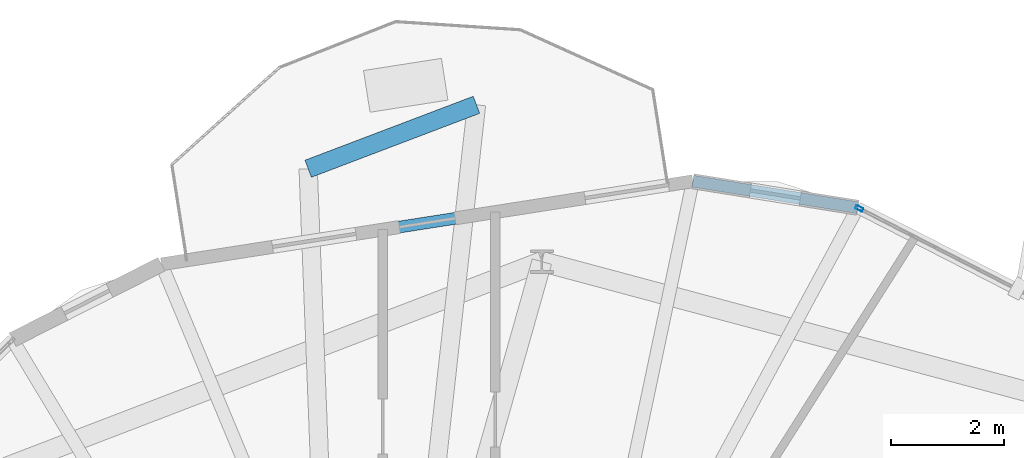
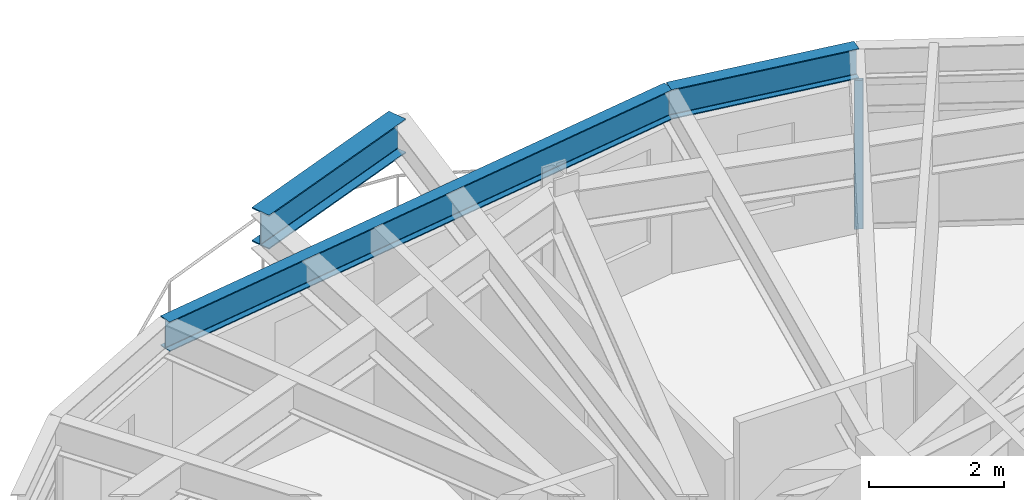
# One storey, part 17 of 27: 3 beams, 1 member, 1 element without a shape of its own.
"""IFC4 building model written with IfcOpenShell, lengths in metres."""

from ifc_helpers import new_model, si_unit, direction, frame, origin, origin_2d, place, context, subcontext, project, spatial, hollow_rectangle, i_section, extrude, material, layer, layer_set, material_profile, profile_set, type_object, element, aggregate, save


model = new_model("IFC4")

# Units and contexts
model_context = context("Model", 3, precision=1e-05, world=origin(), true_north=direction((0.0, 1.0)))
body_context = subcontext(model_context, "Body", "Model", "MODEL_VIEW")
ifc_project = project(units=[si_unit("LENGTHUNIT", "METRE"), si_unit("AREAUNIT", "SQUARE_METRE"), si_unit("VOLUMEUNIT", "CUBIC_METRE"), si_unit("PLANEANGLEUNIT", "RADIAN"), si_unit("MASSUNIT", "GRAM", prefix="KILO")], contexts=[model_context])

# Site, building, storey
site_placement = place(None, origin())
site = spatial("IfcSite", under=ifc_project, at=site_placement, CompositionType="ELEMENT")
building_placement = place(site_placement, origin())
building = spatial("IfcBuilding", under=site, at=building_placement, Name="Soratama Intermodal Tower", CompositionType="ELEMENT")
storey_placement = place(building_placement, frame((0.0, 0.0, 197.800048828125)))
storey = spatial("IfcBuildingStorey", under=building, at=storey_placement, Name="L49", CompositionType="ELEMENT", Elevation=197.800048828125)

# Beams
ifc_material_1 = material(Name="Structural steel ASTM A992 Grade 50", Category="steel")
ifc_material_profile_1 = material_profile(ifc_material_1, i_section(OverallWidth=0.324951171875, OverallDepth=0.615966796875, WebThickness=0.013916015625, FlangeThickness=0.021484375, FilletRadius=0.013916015625, at=origin_2d()), Name="W24X117")
ifc_profile_set_1 = profile_set([ifc_material_profile_1], Name="Structural steel ASTM A992 Grade 50")
beam_type_1 = type_object("IfcBeamType", Name="BM-CANT-W24X117", PredefinedType="BEAM", material=ifc_profile_set_1)
beam_1_placement = place(storey_placement, frame((42.865966796875, 46.360107421875, 2.991943359375), z_axis=(-0.934805375776, -0.355160399566, 0.0), x_axis=(0.355160399566, -0.934805375776, 0.0)))
element("IfcBeam", 1, at=beam_1_placement, inside=storey, type_object=beam_type_1, Name="BM-L49-CBHDR-2", PredefinedType="BEAM", context=body_context, shape_type="SweptSolid", body=[
    extrude(i_section(OverallWidth=0.324951171875, OverallDepth=0.615966796875, WebThickness=0.013916015625, FlangeThickness=0.021484375, FilletRadius=0.013916015625, at=origin_2d()), origin(), (0.0, 0.0, 1.0), 3.198486328125),
])
ifc_material_2 = material(Name="Structural steel ASTM A992 Grade 50", Category="steel")
ifc_material_profile_2 = material_profile(ifc_material_2, i_section(OverallWidth=0.2099609375, OverallDepth=0.537109375, WebThickness=0.010986328125, FlangeThickness=0.017333984375, FilletRadius=0.012939453125, at=origin_2d()), Name="W21X68")
ifc_profile_set_2 = profile_set([ifc_material_profile_2], Name="Structural steel ASTM A992 Grade 50")
beam_type_2 = type_object("IfcBeamType", Name="BM-SPN-W21X68", PredefinedType="SPANDREL", material=ifc_profile_set_2)
beam_2_placement = place(storey_placement, frame((49.637939453125, 44.532958984375, 3.031494140625), z_axis=(-0.98737017334, 0.158430239533, 0.0), x_axis=(-0.158430239533, -0.98737017334, 0.0)))
element("IfcBeam", 2, at=beam_2_placement, inside=storey, type_object=beam_type_2, Name="BS-L49-CRN01", PredefinedType="SPANDREL", context=body_context, shape_type="SweptSolid", body=[
    extrude(i_section(OverallWidth=0.2099609375, OverallDepth=0.537109375, WebThickness=0.010986328125, FlangeThickness=0.017333984375, FilletRadius=0.012939453125, at=origin_2d()), origin(), (0.0, 0.0, 1.0), 2.96630859375),
])
beam_3_placement = place(storey_placement, frame((46.708984375, 45.0029296875, 3.031494140625), z_axis=(-0.988024943347, -0.154294236199, 0.0), x_axis=(0.154294236199, -0.988024943347, 0.0)))
element("IfcBeam", 3, at=beam_3_placement, inside=storey, type_object=beam_type_2, Name="BS-L49-F02", PredefinedType="SPANDREL", context=body_context, shape_type="SweptSolid", body=[
    extrude(i_section(OverallWidth=0.2099609375, OverallDepth=0.537109375, WebThickness=0.010986328125, FlangeThickness=0.017333984375, FilletRadius=0.012939453125, at=origin_2d()), origin(), (0.0, 0.0, 1.0), 9.552490234375),
])

# Curtain wall, member
ifc_material_3 = material(Name="Double-glazed aluminium curtain wall", Category="aluminium")
ifc_layer = layer(ifc_material_3, 0.159912109375)
ifc_layer_set = layer_set([ifc_layer], Name="Double-glazed aluminium curtain wall")
curtain_wall_type = type_object("IfcCurtainWallType", Name="CW-SYS-5", PredefinedType="NOTDEFINED", material=ifc_layer_set)
curtain_wall_placement = place(storey_placement, origin())
curtain_wall = element("IfcCurtainWall", 4, at=curtain_wall_placement, inside=storey, type_object=curtain_wall_type, Name="L49 Faceted Curtain Wall F01", PredefinedType="NOTDEFINED")
ifc_material_4 = material(Name="Anodised aluminium AA 6063-T6", Category="aluminium")
ifc_material_profile_3 = material_profile(ifc_material_4, hollow_rectangle(XDim=0.06494140625, YDim=0.139892578125, WallThickness=0.0048828125, InnerFilletRadius=0.0048828125, OuterFilletRadius=0.010009765625, at=origin_2d()), Name="CWM140X65X5")
ifc_profile_set_3 = profile_set([ifc_material_profile_3], Name="Anodised aluminium AA 6063-T6")
member_type = type_object("IfcMemberType", Name="MT-CWM-5", PredefinedType="MULLION", material=ifc_profile_set_3)
member_placement = place(storey_placement, frame((49.66455078125, 44.519287109375, 0.0), z_axis=(0.0, 0.0, 1.0), x_axis=(-0.455860497554, -0.890051238283, 0.0)))
member = element("IfcMember", 5, at=member_placement, type_object=member_type, Name="CW-5 mullion 3", PredefinedType="MULLION", context=body_context, shape_type="SweptSolid", body=[
    extrude(hollow_rectangle(XDim=0.06494140625, YDim=0.139892578125, WallThickness=0.0048828125, InnerFilletRadius=0.0048828125, OuterFilletRadius=0.010009765625, at=origin_2d()), origin(), (0.0, 0.0, 1.0), 2.678955078125),
])
aggregate(curtain_wall, [member])

save(model, "model.ifc")
